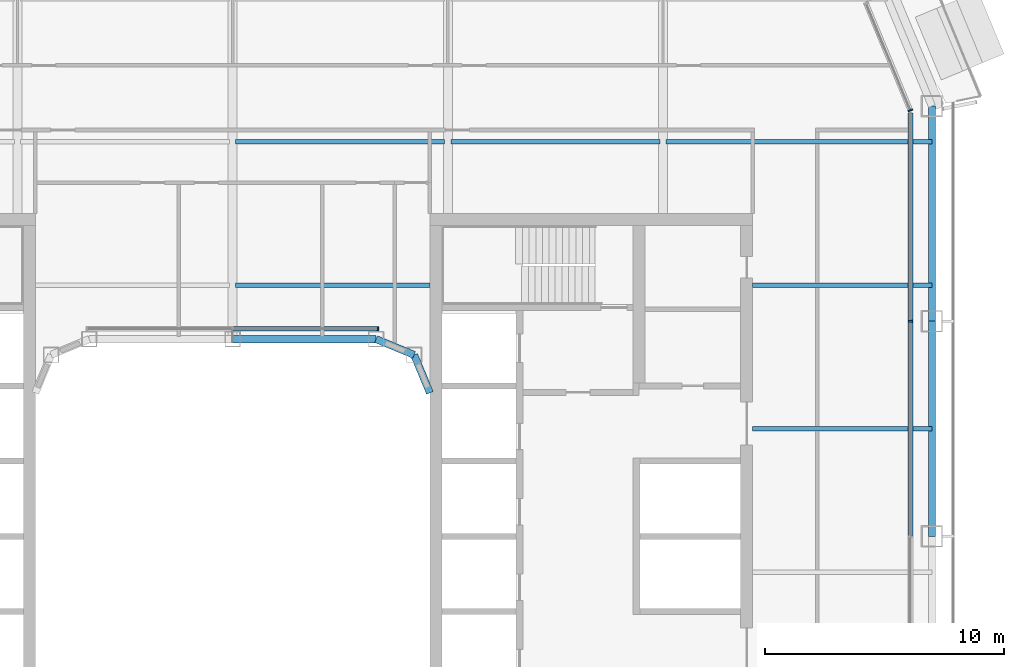
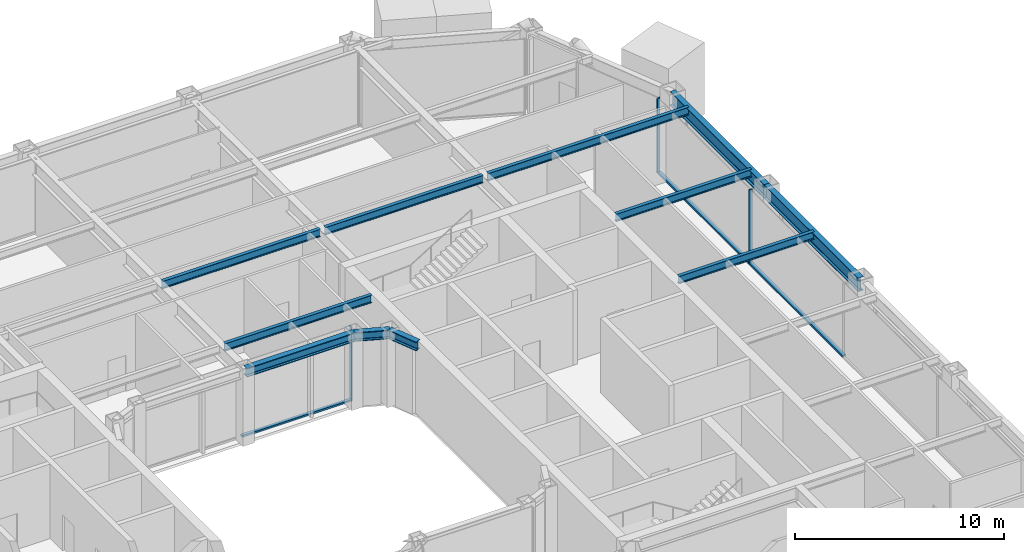
# One storey, part 8 of 24: 11 beams, 6 members, 3 elements without a shape of their own.
"""IFC4 building model written with IfcOpenShell, lengths in metres."""

from ifc_helpers import new_model, si_unit, direction, frame, origin, origin_2d, place, context, subcontext, project, spatial, rectangle, i_section, extrude, material, layer, layer_set, material_profile, profile_set, type_object, element, aggregate, save


model = new_model("IFC4")

# Units and contexts
model_context = context("Model", 3, precision=1e-05, world=origin(), true_north=direction((0.0, 1.0)))
body_context = subcontext(model_context, "Body", "Model", "MODEL_VIEW")
ifc_project = project(units=[si_unit("LENGTHUNIT", "METRE"), si_unit("AREAUNIT", "SQUARE_METRE"), si_unit("VOLUMEUNIT", "CUBIC_METRE"), si_unit("PLANEANGLEUNIT", "RADIAN"), si_unit("MASSUNIT", "GRAM", prefix="KILO")], contexts=[model_context])

# Site, building, storey
site_placement = place(None, origin())
site = spatial("IfcSite", under=ifc_project, at=site_placement, CompositionType="ELEMENT")
building_placement = place(site_placement, origin())
building = spatial("IfcBuilding", under=site, at=building_placement, Name="Siwar Civic Tower", CompositionType="ELEMENT")
storey_placement = place(building_placement, frame((0.0, 0.0, 149.699951171875)))
storey = spatial("IfcBuildingStorey", under=building, at=storey_placement, Name="L32", CompositionType="ELEMENT", Elevation=149.699951171875)

# Curtain wall, member
ifc_material_1 = material(Name="Aluminium and glass", Category="aluminium")
ifc_layer_1 = layer(ifc_material_1, 0.199951171875)
ifc_layer_set_1 = layer_set([ifc_layer_1], Name="Aluminium and glass")
curtain_wall_type_1 = type_object("IfcCurtainWallType", Name="ENV-CW-B", PredefinedType="NOTDEFINED", material=ifc_layer_set_1)
curtain_wall_1_placement = place(storey_placement, origin())
curtain_wall_1 = element("IfcCurtainWall", 1, at=curtain_wall_1_placement, inside=storey, type_object=curtain_wall_type_1, Name="Curtain wall B E", PredefinedType="NOTDEFINED")
ifc_material_2 = material(Name="Aluminium 6063-T6", Category="aluminium")
ifc_material_profile_1 = material_profile(ifc_material_2, rectangle(XDim=0.199951171875, YDim=0.06494140625, at=origin_2d()), Name="AL 200x65")
ifc_profile_set_1 = profile_set([ifc_material_profile_1], Name="Aluminium 6063-T6")
member_type_1 = type_object("IfcMemberType", Name="ENV-MULLION-B", PredefinedType="MULLION", material=ifc_profile_set_1)
member_1_placement = place(storey_placement, frame((28.35009765625, 9.0, 0.0), z_axis=(0.0, 0.0, 1.0), x_axis=(-1.0, 0.0, 0.0)))
member_1 = element("IfcMember", 2, at=member_1_placement, type_object=member_type_1, Name="Mullion B E 4", PredefinedType="MULLION", context=body_context, shape_type="SweptSolid", body=[
    extrude(rectangle(XDim=0.199951171875, YDim=0.06494140625, at=origin_2d()), origin(), (0.0, 0.0, 1.0), 4.35009765625),
])

ifc_material_3 = material(Name="Aluminium clad insulated panel", Category="aluminium")
ifc_layer_2 = layer(ifc_material_3, 0.199951171875)
ifc_layer_set_2 = layer_set([ifc_layer_2], Name="Aluminium clad insulated panel")
curtain_wall_type_2 = type_object("IfcCurtainWallType", Name="ENV-CW-BX", PredefinedType="NOTDEFINED", material=ifc_layer_set_2)
curtain_wall_2_placement = place(storey_placement, origin())
curtain_wall_2 = element("IfcCurtainWall", 3, at=curtain_wall_2_placement, inside=storey, type_object=curtain_wall_type_2, Name="Curtain wall B NE1", PredefinedType="NOTDEFINED")
member_2_placement = place(storey_placement, frame((28.35009765625, 17.821044921875, 0.0), z_axis=(0.0, 0.0, 1.0), x_axis=(-0.923879532511, -0.382683432365, 0.0)))
member_2 = element("IfcMember", 4, at=member_2_placement, type_object=member_type_1, Name="Mullion B NE1 1", PredefinedType="MULLION", context=body_context, shape_type="SweptSolid", body=[
    extrude(rectangle(XDim=0.199951171875, YDim=0.06494140625, at=origin_2d()), origin(), (0.0, 0.0, 1.0), 4.35009765625),
])
aggregate(curtain_wall_2, [member_2])

ifc_material_4 = material(Name="Aluminium and glass", Category="aluminium")
ifc_layer_3 = layer(ifc_material_4, 0.179931640625)
ifc_layer_set_3 = layer_set([ifc_layer_3], Name="Aluminium and glass")
curtain_wall_type_3 = type_object("IfcCurtainWallType", Name="ENV-CW-W", PredefinedType="NOTDEFINED", material=ifc_layer_set_3)
curtain_wall_3_placement = place(storey_placement, origin())
curtain_wall_3 = element("IfcCurtainWall", 5, at=curtain_wall_3_placement, inside=storey, type_object=curtain_wall_type_3, Name="Curtain wall W WN", PredefinedType="NOTDEFINED")
ifc_material_5 = material(Name="Aluminium 6063-T6", Category="aluminium")
ifc_material_profile_2 = material_profile(ifc_material_5, rectangle(XDim=0.179931640625, YDim=0.06005859375, at=origin_2d()), Name="AL 180x60")
ifc_profile_set_2 = profile_set([ifc_material_profile_2], Name="Aluminium 6063-T6")
member_type_2 = type_object("IfcMemberType", Name="ENV-MULLION-W", PredefinedType="MULLION", material=ifc_profile_set_2)
member_3_placement = place(storey_placement, frame((6.08642578125, 8.68505859375, 0.0), z_axis=(0.0, 0.0, 1.0), x_axis=(0.0, -1.0, 0.0)))
member_3 = element("IfcMember", 6, at=member_3_placement, type_object=member_type_2, Name="Mullion W WN 1", PredefinedType="MULLION", context=body_context, shape_type="SweptSolid", body=[
    extrude(rectangle(XDim=0.179931640625, YDim=0.06005859375, at=origin_2d()), origin(), (0.0, 0.0, 1.0), 4.35009765625),
])

# Member
ifc_material_6 = material(Name="Aluminium 6063-T6", Category="aluminium")
ifc_material_profile_3 = material_profile(ifc_material_6, rectangle(XDim=0.199951171875, YDim=0.110107421875, at=origin_2d()), Name="AL 200x110")
ifc_profile_set_3 = profile_set([ifc_material_profile_3], Name="Aluminium 6063-T6")
member_type_3 = type_object("IfcMemberType", Name="ENV-TRANSOM-B", PredefinedType="USERDEFINED", material=ifc_profile_set_3)
member_4_placement = place(storey_placement, frame((28.35009765625, 0.032470703125, 0.054931640625), z_axis=(0.0, 1.0, 0.0), x_axis=(-1.0, 0.0, 0.0)))
member_4 = element("IfcMember", 7, at=member_4_placement, type_object=member_type_3, Name="Transom B E 3", ObjectType="TRANSOM", PredefinedType="USERDEFINED", context=body_context, shape_type="SweptSolid", body=[
    extrude(rectangle(XDim=0.199951171875, YDim=0.110107421875, at=origin_2d()), origin(), (0.0, 0.0, 1.0), 8.93505859375),
])

member_5_placement = place(storey_placement, frame((28.35009765625, 9.032470703125, 0.054931640625), z_axis=(0.0, 1.0, 0.0), x_axis=(-1.0, 0.0, 0.0)))
member_5 = element("IfcMember", 8, at=member_5_placement, type_object=member_type_3, Name="Transom B E 4", ObjectType="TRANSOM", PredefinedType="USERDEFINED", context=body_context, shape_type="SweptSolid", body=[
    extrude(rectangle(XDim=0.199951171875, YDim=0.110107421875, at=origin_2d()), origin(), (0.0, 0.0, 1.0), 8.6748046875),
])

aggregate(curtain_wall_1, [member_1, member_4, member_5])

ifc_material_7 = material(Name="Aluminium 6063-T6", Category="aluminium")
ifc_material_profile_4 = material_profile(ifc_material_7, rectangle(XDim=0.179931640625, YDim=0.10009765625, at=origin_2d()), Name="AL 180x100")
ifc_profile_set_4 = profile_set([ifc_material_profile_4], Name="Aluminium 6063-T6")
member_type_4 = type_object("IfcMemberType", Name="ENV-TRANSOM-W", PredefinedType="USERDEFINED", material=ifc_profile_set_4)
member_6_placement = place(storey_placement, frame((6.056640625, 8.68505859375, 0.050048828125), z_axis=(-1.0, 0.0, 0.0), x_axis=(0.0, -1.0, 0.0)))
member_6 = element("IfcMember", 9, at=member_6_placement, type_object=member_type_4, Name="Transom W WN 1", ObjectType="TRANSOM", PredefinedType="USERDEFINED", context=body_context, shape_type="SweptSolid", body=[
    extrude(rectangle(XDim=0.179931640625, YDim=0.10009765625, at=origin_2d()), origin(), (0.0, 0.0, 1.0), 6.026611328125),
])

aggregate(curtain_wall_3, [member_3, member_6])

# Beams
ifc_material_8 = material(Name="Steel S355", Category="steel")
ifc_material_profile_5 = material_profile(ifc_material_8, i_section(OverallWidth=0.18994140625, OverallDepth=0.449951171875, WebThickness=0.009521484375, FlangeThickness=0.0146484375, FilletRadius=0.02099609375, at=origin_2d()), Name="IPE450")
ifc_profile_set_5 = profile_set([ifc_material_profile_5], Name="Steel S355")
beam_type_1 = type_object("IfcBeamType", Name="STR-FB-IPE450", PredefinedType="JOIST", material=ifc_profile_set_5)
beam_1_placement = place(storey_placement, frame((21.75, 4.5, 4.125), z_axis=(1.0, 0.0, 0.0), x_axis=(0.0, 1.0, 0.0)))
element("IfcBeam", 10, at=beam_1_placement, inside=storey, type_object=beam_type_1, Name="L32/bm/F026", PredefinedType="JOIST", context=body_context, shape_type="SweptSolid", body=[
    extrude(i_section(OverallWidth=0.18994140625, OverallDepth=0.449951171875, WebThickness=0.009521484375, FlangeThickness=0.0146484375, FilletRadius=0.02099609375, at=origin_2d()), origin(), (0.0, 0.0, 1.0), 7.5),
])
beam_2_placement = place(storey_placement, frame((0.1298828125, 10.5, 4.125), z_axis=(1.0, 0.0, 0.0), x_axis=(0.0, 1.0, 0.0)))
element("IfcBeam", 11, at=beam_2_placement, inside=storey, type_object=beam_type_1, Name="L32/bm/F029", PredefinedType="JOIST", context=body_context, shape_type="SweptSolid", body=[
    extrude(i_section(OverallWidth=0.18994140625, OverallDepth=0.449951171875, WebThickness=0.009521484375, FlangeThickness=0.0146484375, FilletRadius=0.02099609375, at=origin_2d()), origin(), (0.0, 0.0, 1.0), 8.1201171875),
])
beam_3_placement = place(storey_placement, frame((21.75, 10.5, 4.125), z_axis=(1.0, 0.0, 0.0), x_axis=(0.0, 1.0, 0.0)))
element("IfcBeam", 12, at=beam_3_placement, inside=storey, type_object=beam_type_1, Name="L32/bm/F030", PredefinedType="JOIST", context=body_context, shape_type="SweptSolid", body=[
    extrude(i_section(OverallWidth=0.18994140625, OverallDepth=0.449951171875, WebThickness=0.009521484375, FlangeThickness=0.0146484375, FilletRadius=0.02099609375, at=origin_2d()), origin(), (0.0, 0.0, 1.0), 7.5),
])
for number, where, z_axis, x_axis, name in (
    (13, (0.1298828125, 16.5, 4.125), (1.0, 0.0, 0.0), (0.0, 1.0, 0.0), "L32/bm/F034"),
    (14, (9.1298828125, 16.5, 4.125), (1.0, 0.0, 0.0), (0.0, 1.0, 0.0), "L32/bm/F035"),
):
    element("IfcBeam", number, at=place(storey_placement, frame(where, z_axis=z_axis, x_axis=x_axis)), inside=storey, type_object=beam_type_1, Name=name, PredefinedType="JOIST", context=body_context, shape_type="SweptSolid", body=[
        extrude(i_section(OverallWidth=0.18994140625, OverallDepth=0.449951171875, WebThickness=0.009521484375, FlangeThickness=0.0146484375, FilletRadius=0.02099609375, at=origin_2d()), origin(), (0.0, 0.0, 1.0), 8.740234375),
    ])
beam_4_placement = place(storey_placement, frame((18.1298828125, 16.5, 4.125), z_axis=(1.0, 0.0, 0.0), x_axis=(0.0, 1.0, 0.0)))
element("IfcBeam", 15, at=beam_4_placement, inside=storey, type_object=beam_type_1, Name="L32/bm/F036", PredefinedType="JOIST", context=body_context, shape_type="SweptSolid", body=[
    extrude(i_section(OverallWidth=0.18994140625, OverallDepth=0.449951171875, WebThickness=0.009521484375, FlangeThickness=0.0146484375, FilletRadius=0.02099609375, at=origin_2d()), origin(), (0.0, 0.0, 1.0), 11.1201171875),
])
ifc_material_9 = material(Name="Steel S355", Category="steel")
ifc_material_profile_6 = material_profile(ifc_material_9, i_section(OverallWidth=0.305908203125, OverallDepth=0.52392578125, WebThickness=0.02099609375, FlangeThickness=0.0400390625, FilletRadius=0.027099609375, at=origin_2d()), Name="HEM500")
ifc_profile_set_6 = profile_set([ifc_material_profile_6], Name="Steel S355")
beam_type_2 = type_object("IfcBeamType", Name="STR-RB-HEM500", PredefinedType="BEAM", material=ifc_profile_set_6)
beam_5_placement = place(storey_placement, frame((0.0, 8.25, 4.088134765625), z_axis=(1.0, 0.0, 0.0), x_axis=(0.0, 1.0, 0.0)))
element("IfcBeam", 16, at=beam_5_placement, inside=storey, type_object=beam_type_2, Name="L32/bm/RN2", PredefinedType="BEAM", context=body_context, shape_type="SweptSolid", body=[
    extrude(i_section(OverallWidth=0.305908203125, OverallDepth=0.52392578125, WebThickness=0.02099609375, FlangeThickness=0.0400390625, FilletRadius=0.027099609375, at=origin_2d()), origin(), (0.0, 0.0, 1.0), 6.0),
])
for number, where, z_axis, x_axis, name in (
    (17, (6.0, 8.25, 4.088134765625), (0.923901072997, -0.382631424892, 0.0), (0.382631424892, 0.923901072997, 0.0), "L32/bm/RN3"),
    (18, (7.591064453125, 7.591064453125, 4.088134765625), (0.382631424892, -0.923901072997, 0.0), (0.923901072997, 0.382631424892, 0.0), "L32/bm/RNEE"),
):
    element("IfcBeam", number, at=place(storey_placement, frame(where, z_axis=z_axis, x_axis=x_axis)), inside=storey, type_object=beam_type_2, Name=name, PredefinedType="BEAM", context=body_context, shape_type="SweptSolid", body=[
        extrude(i_section(OverallWidth=0.305908203125, OverallDepth=0.52392578125, WebThickness=0.02099609375, FlangeThickness=0.0400390625, FilletRadius=0.027099609375, at=origin_2d()), origin(), (0.0, 0.0, 1.0), 1.72216796875),
    ])
ifc_material_10 = material(Name="Steel S355", Category="steel")
ifc_material_profile_7 = material_profile(ifc_material_10, i_section(OverallWidth=0.300048828125, OverallDepth=0.800048828125, WebThickness=0.017578125, FlangeThickness=0.032958984375, FilletRadius=0.030029296875, at=origin_2d()), Name="HEB800")
ifc_profile_set_7 = profile_set([ifc_material_profile_7], Name="Steel S355")
beam_type_3 = type_object("IfcBeamType", Name="STR-SB-HEB800", PredefinedType="BEAM", material=ifc_profile_set_7)
for number, where, z_axis, x_axis, name in (
    (19, (29.25, 0.0, 3.949951171875), (0.0, 1.0, 0.0), (-1.0, 0.0, 0.0), "L32/bm/SE-2"),
    (20, (29.25, 9.0, 3.949951171875), (0.0, 1.0, 0.0), (-1.0, 0.0, 0.0), "L32/bm/SE-3"),
):
    element("IfcBeam", number, at=place(storey_placement, frame(where, z_axis=z_axis, x_axis=x_axis)), inside=storey, type_object=beam_type_3, Name=name, PredefinedType="BEAM", context=body_context, shape_type="SweptSolid", body=[
        extrude(i_section(OverallWidth=0.300048828125, OverallDepth=0.800048828125, WebThickness=0.017578125, FlangeThickness=0.032958984375, FilletRadius=0.030029296875, at=origin_2d()), origin(), (0.0, 0.0, 1.0), 9.0),
    ])

save(model, "model.ifc")
